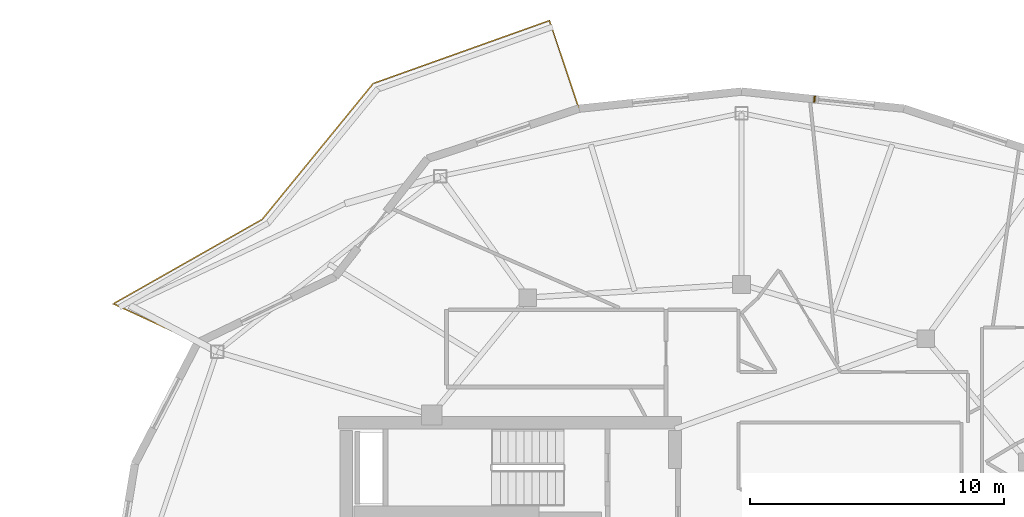
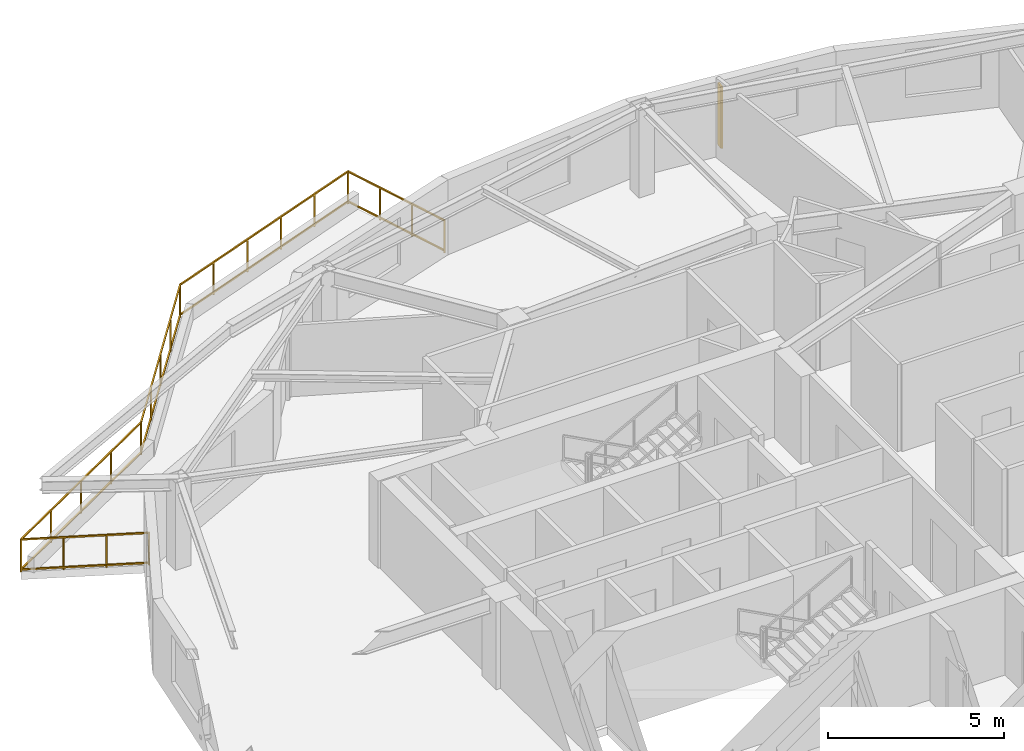
# One storey, part 17 of 18: 1 railing, 1 shading device.
"""IFC4 building model written with IfcOpenShell, lengths in metres."""

from ifc_helpers import new_model, si_unit, direction, frame, origin, origin_2d, place, context, subcontext, project, spatial, rectangle, extrude, material, type_object, element, save


model = new_model("IFC4")

# Units and contexts
model_context = context("Model", 3, precision=1e-05, world=origin(), true_north=direction((0.0, 1.0)))
body_context = subcontext(model_context, "Body", "Model", "MODEL_VIEW")
ifc_project = project(units=[si_unit("LENGTHUNIT", "METRE"), si_unit("AREAUNIT", "SQUARE_METRE"), si_unit("VOLUMEUNIT", "CUBIC_METRE"), si_unit("PLANEANGLEUNIT", "RADIAN"), si_unit("MASSUNIT", "GRAM", prefix="KILO")], contexts=[model_context])

# Site, building, storey
site_placement = place(None, origin())
site = spatial("IfcSite", under=ifc_project, at=site_placement, CompositionType="ELEMENT")
building_placement = place(site_placement, origin())
building = spatial("IfcBuilding", under=site, at=building_placement, Name="Kolvaren Gate Tower and Convention Centre", CompositionType="ELEMENT")
storey_placement = place(building_placement, frame((0.0, 0.0, 229.39990234375)))
storey = spatial("IfcBuildingStorey", under=building, at=storey_placement, Name="L61", CompositionType="ELEMENT", Elevation=229.39990234375)

# Railing
ifc_material_1 = material(Name="Brushed Stainless Steel Grade 316L", Category="steel")
railing_type = type_object("IfcRailingType", Name="ARCH-RL-GUARD-1150", PredefinedType="GUARDRAIL", material=ifc_material_1)
railing_placement = place(storey_placement, frame((23.71923828125, 46.125244140625, 0.0)))
element("IfcRailing", 1, at=railing_placement, inside=storey, type_object=railing_type, Name="Tower L61 Terrace Perimeter Guardrail GR-1", PredefinedType="GUARDRAIL", context=body_context, shape_type="SweptSolid", body=[
    extrude(rectangle(XDim=0.048095703125, YDim=0.048095703125, at=origin_2d()), frame((-0.0087890625, 0.026611328125, 1.1259765625), z_axis=(-0.317588247294, 0.948228719867, 0.0), x_axis=(-0.948228719867, -0.317588247294, 0.0)), (0.0, 0.0, 1.0), 3.603759765625),
    extrude(rectangle(XDim=0.048095703125, YDim=0.048095703125, at=origin_2d()), frame((-0.0087890625, 0.026611328125, 0.083984375), z_axis=(-0.317588247294, 0.948228719867, 0.0), x_axis=(-0.948228719867, -0.317588247294, 0.0)), (0.0, 0.0, 1.0), 3.603759765625),
    extrude(rectangle(XDim=0.048095703125, YDim=0.048095703125, at=origin_2d()), frame((-1.188720703125, 3.4609375, 1.1259765625), z_axis=(-0.941783827204, -0.336219010197, 0.0), x_axis=(0.336219010197, -0.941783827204, 0.0)), (0.0, 0.0, 1.0), 7.322265625),
    extrude(rectangle(XDim=0.048095703125, YDim=0.048095703125, at=origin_2d()), frame((-1.188720703125, 3.4609375, 0.083984375), z_axis=(-0.941783827204, -0.336219010197, 0.0), x_axis=(0.336219010197, -0.941783827204, 0.0)), (0.0, 0.0, 1.0), 7.322265625),
    extrude(rectangle(XDim=0.048095703125, YDim=0.048095703125, at=origin_2d()), frame((-8.12890625, 0.968017578125, 1.1259765625), z_axis=(-0.632718487063, -0.77438189295, 0.0), x_axis=(0.77438189295, -0.632718487063, 0.0)), (0.0, 0.0, 1.0), 6.858154296875),
    extrude(rectangle(XDim=0.048095703125, YDim=0.048095703125, at=origin_2d()), frame((-8.12890625, 0.968017578125, 0.083984375), z_axis=(-0.632718487063, -0.77438189295, 0.0), x_axis=(0.77438189295, -0.632718487063, 0.0)), (0.0, 0.0, 1.0), 6.858154296875),
    extrude(rectangle(XDim=0.048095703125, YDim=0.048095703125, at=origin_2d()), frame((-12.51025390625, -4.37841796875, 1.1259765625), z_axis=(-0.869876155964, -0.493270182846, 0.0), x_axis=(0.493270182846, -0.869876155964, 0.0)), (0.0, 0.0, 1.0), 6.6865234375),
    extrude(rectangle(XDim=0.048095703125, YDim=0.048095703125, at=origin_2d()), frame((-12.51025390625, -4.37841796875, 0.083984375), z_axis=(-0.869876155964, -0.493270182846, 0.0), x_axis=(0.493270182846, -0.869876155964, 0.0)), (0.0, 0.0, 1.0), 6.6865234375),
    extrude(rectangle(XDim=0.048095703125, YDim=0.048095703125, at=origin_2d()), frame((-18.32568359375, -7.7021484375, 1.1259765625), z_axis=(0.907820723829, -0.419358478377, 0.0), x_axis=(0.419358478377, 0.907820723829, 0.0)), (0.0, 0.0, 1.0), 3.60400390625),
    extrude(rectangle(XDim=0.048095703125, YDim=0.048095703125, at=origin_2d()), frame((-18.32568359375, -7.7021484375, 0.083984375), z_axis=(0.907820723829, -0.419358478377, 0.0), x_axis=(0.419358478377, 0.907820723829, 0.0)), (0.0, 0.0, 1.0), 3.60400390625),
    extrude(rectangle(XDim=0.0419921875, YDim=0.0419921875, at=origin_2d()), origin(), (0.0, 0.0, 1.0), 1.14990234375),
    extrude(rectangle(XDim=0.0419921875, YDim=0.0419921875, at=origin_2d()), frame((-1.162353515625, 3.470458984375, 0.0)), (0.0, 0.0, 1.0), 1.14990234375),
    extrude(rectangle(XDim=0.0419921875, YDim=0.0419921875, at=origin_2d()), frame((-0.387451171875, 1.15673828125, 0.0)), (0.0, 0.0, 1.0), 1.099853515625),
    extrude(rectangle(XDim=0.0419921875, YDim=0.0419921875, at=origin_2d()), frame((-0.77490234375, 2.313720703125, 0.0)), (0.0, 0.0, 1.0), 1.099853515625),
    extrude(rectangle(XDim=0.0419921875, YDim=0.0419921875, at=origin_2d()), frame((-8.111083984375, 0.98974609375, 0.0)), (0.0, 0.0, 1.0), 1.14990234375),
    extrude(rectangle(XDim=0.0419921875, YDim=0.0419921875, at=origin_2d()), frame((-2.552001953125, 2.974365234375, 0.0)), (0.0, 0.0, 1.0), 1.099853515625),
    extrude(rectangle(XDim=0.0419921875, YDim=0.0419921875, at=origin_2d()), frame((-3.94189453125, 2.478271484375, 0.0)), (0.0, 0.0, 1.0), 1.099853515625),
    extrude(rectangle(XDim=0.0419921875, YDim=0.0419921875, at=origin_2d()), frame((-5.33154296875, 1.98193359375, 0.0)), (0.0, 0.0, 1.0), 1.099853515625),
    extrude(rectangle(XDim=0.0419921875, YDim=0.0419921875, at=origin_2d()), frame((-6.721435546875, 1.48583984375, 0.0)), (0.0, 0.0, 1.0), 1.099853515625),
    extrude(rectangle(XDim=0.0419921875, YDim=0.0419921875, at=origin_2d()), frame((-12.48583984375, -4.364501953125, 0.0)), (0.0, 0.0, 1.0), 1.14990234375),
    extrude(rectangle(XDim=0.0419921875, YDim=0.0419921875, at=origin_2d()), frame((-9.204833984375, -0.348876953125, 0.0)), (0.0, 0.0, 1.0), 1.099853515625),
    extrude(rectangle(XDim=0.0419921875, YDim=0.0419921875, at=origin_2d()), frame((-10.29833984375, -1.6875, 0.0)), (0.0, 0.0, 1.0), 1.099853515625),
    extrude(rectangle(XDim=0.0419921875, YDim=0.0419921875, at=origin_2d()), frame((-11.39208984375, -3.02587890625, 0.0)), (0.0, 0.0, 1.0), 1.099853515625),
    extrude(rectangle(XDim=0.0419921875, YDim=0.0419921875, at=origin_2d()), frame((-18.35107421875, -7.6904296875, 0.0)), (0.0, 0.0, 1.0), 1.14990234375),
    extrude(rectangle(XDim=0.0419921875, YDim=0.0419921875, at=origin_2d()), frame((-13.9521484375, -5.196044921875, 0.0)), (0.0, 0.0, 1.0), 1.099853515625),
    extrude(rectangle(XDim=0.0419921875, YDim=0.0419921875, at=origin_2d()), frame((-15.41845703125, -6.02734375, 0.0)), (0.0, 0.0, 1.0), 1.099853515625),
    extrude(rectangle(XDim=0.0419921875, YDim=0.0419921875, at=origin_2d()), frame((-16.884765625, -6.85888671875, 0.0)), (0.0, 0.0, 1.0), 1.099853515625),
    extrude(rectangle(XDim=0.0419921875, YDim=0.0419921875, at=origin_2d()), frame((-15.0283203125, -9.225341796875, 0.0)), (0.0, 0.0, 1.0), 1.14990234375),
    extrude(rectangle(XDim=0.0419921875, YDim=0.0419921875, at=origin_2d()), frame((-17.243408203125, -8.2021484375, 0.0)), (0.0, 0.0, 1.0), 1.099853515625),
    extrude(rectangle(XDim=0.0419921875, YDim=0.0419921875, at=origin_2d()), frame((-16.135986328125, -8.713623046875, 0.0)), (0.0, 0.0, 1.0), 1.099853515625),
])

# Shading device
ifc_material_2 = material(Name="Kiln-Fired Bogota Terracotta Ceramic Louvre Profile", Category="masonry")
shading_device_type = type_object("IfcShadingDeviceType", Name="ARCH-SHD-FIN-180", PredefinedType="JALOUSIE", material=ifc_material_2)
shading_device_placement = place(storey_placement, frame((32.9990234375, 46.497314453125, 0.22021484375), z_axis=(0.0, 0.0, 1.0), x_axis=(0.994498884311, -0.104747167526, 0.0)))
element("IfcShadingDevice", 2, at=shading_device_placement, inside=storey, type_object=shading_device_type, Name="Ceramic Vertical Brise-Soleil Fin FN-L61-05", PredefinedType="JALOUSIE", context=body_context, shape_type="SweptSolid", body=[
    extrude(rectangle(XDim=0.06005859375, YDim=0.239990234375, at=origin_2d()), origin(), (0.0, 0.0, 1.0), 2.14990234375),
])

save(model, "model.ifc")
